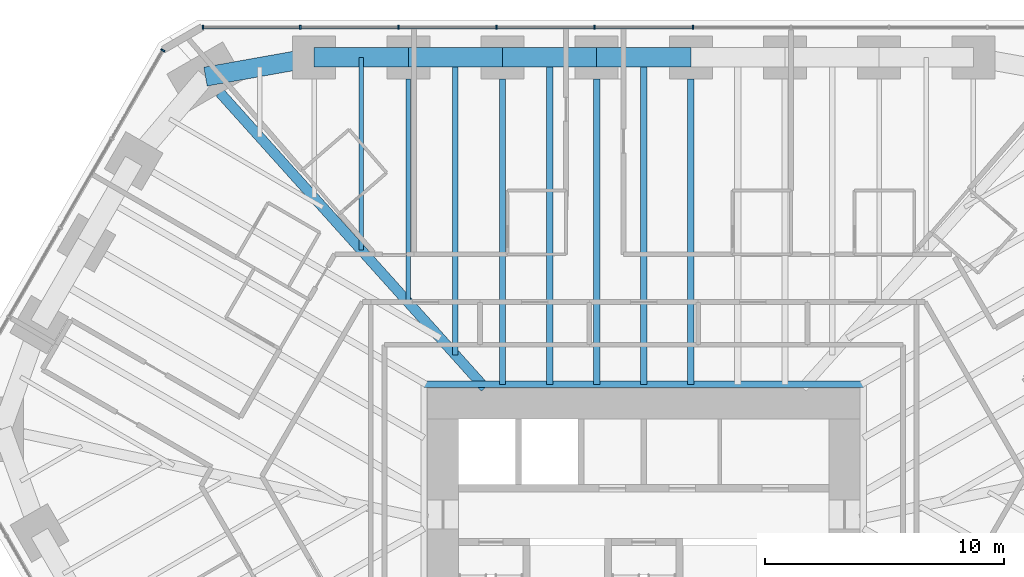
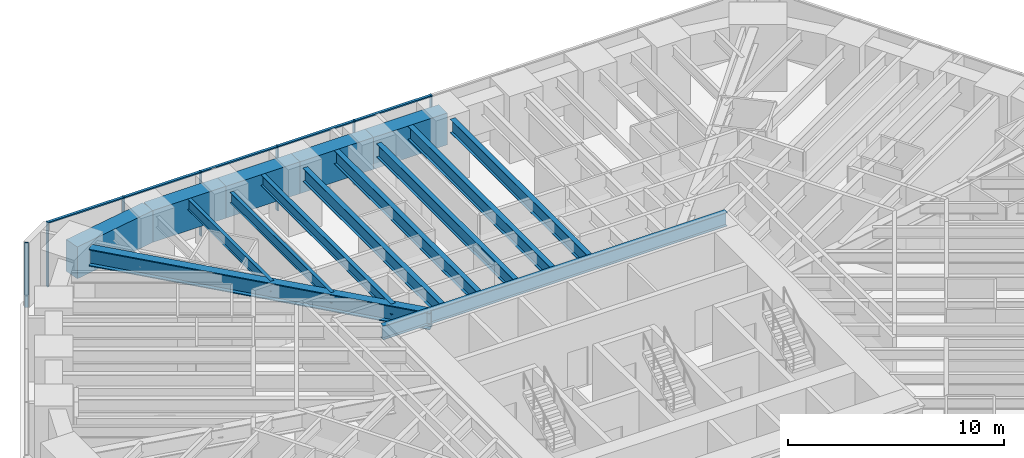
# One storey, part 8 of 17: 15 beams, 12 members, 2 elements without a shape of their own.
"""IFC4 building model written with IfcOpenShell, lengths in metres."""

from ifc_helpers import new_model, si_unit, direction, frame, origin, origin_2d, place, context, subcontext, project, spatial, rectangle, i_section, extrude, material, material_profile, profile_set, type_object, element, aggregate, save


model = new_model("IFC4")

# Units and contexts
model_context = context("Model", 3, precision=1e-05, world=origin(), true_north=direction((0.0, 1.0)))
body_context = subcontext(model_context, "Body", "Model", "MODEL_VIEW")
ifc_project = project(units=[si_unit("LENGTHUNIT", "METRE"), si_unit("AREAUNIT", "SQUARE_METRE"), si_unit("VOLUMEUNIT", "CUBIC_METRE"), si_unit("PLANEANGLEUNIT", "RADIAN"), si_unit("MASSUNIT", "GRAM", prefix="KILO")], contexts=[model_context])

# Site, building, storey
site_placement = place(None, origin())
site = spatial("IfcSite", under=ifc_project, at=site_placement, CompositionType="ELEMENT")
building_placement = place(site_placement, origin())
building = spatial("IfcBuilding", under=site, at=building_placement, Name="Sandreach Pilgrim Tower", CompositionType="ELEMENT")
storey_placement = place(building_placement, frame((0.0, 0.0, 119.60009765625)))
storey = spatial("IfcBuildingStorey", under=building, at=storey_placement, Name="L29", CompositionType="ELEMENT", Elevation=119.60009765625)

# Curtain wall, members
ifc_material_1 = material(Name="Aluminium framed curtain wall", Category="aluminium")
curtain_wall_type = type_object("IfcCurtainWallType", Name="Hotel tower curtain wall", PredefinedType="NOTDEFINED", material=ifc_material_1)
curtain_wall_1_placement = place(storey_placement, origin())
curtain_wall_1 = element("IfcCurtainWall", 1, at=curtain_wall_1_placement, inside=storey, type_object=curtain_wall_type, Name="CW-2 L29 N", PredefinedType="NOTDEFINED")
ifc_material_2 = material(Name="Aluminium extrusion", Category="aluminium")
ifc_material_profile_1 = material_profile(ifc_material_2, rectangle(XDim=0.06494140625, YDim=0.179931640625, at=origin_2d()), Name="CW-2M 65X180")
ifc_profile_set_1 = profile_set([ifc_material_profile_1], Name="Aluminium extrusion")
member_type_1 = type_object("IfcMemberType", Name="CW-2 mullion", PredefinedType="MULLION", material=ifc_profile_set_1)
member_1_placement = place(storey_placement, frame((-18.448974609375, 22.493896484375, 0.0), z_axis=(0.0, 0.0, 1.0), x_axis=(1.0, 0.0, 0.0)))
member_1 = element("IfcMember", 2, at=member_1_placement, type_object=member_type_1, Name="CW-2 mullion 1", PredefinedType="MULLION", context=body_context, shape_type="SweptSolid", body=[
    extrude(rectangle(XDim=0.06494140625, YDim=0.179931640625, at=origin_2d()), origin(), (0.0, 0.0, 1.0), 3.639892578125),
])
member_2_placement = place(storey_placement, frame((-14.37451171875, 22.493896484375, 0.0), z_axis=(0.0, 0.0, 1.0), x_axis=(1.0, 0.0, 0.0)))
member_2 = element("IfcMember", 3, at=member_2_placement, type_object=member_type_1, Name="CW-2 mullion 2", PredefinedType="MULLION", context=body_context, shape_type="SweptSolid", body=[
    extrude(rectangle(XDim=0.06494140625, YDim=0.179931640625, at=origin_2d()), origin(), (0.0, 0.0, 1.0), 3.639892578125),
])
member_3_placement = place(storey_placement, frame((-10.267333984375, 22.493896484375, 0.0), z_axis=(0.0, 0.0, 1.0), x_axis=(1.0, 0.0, 0.0)))
member_3 = element("IfcMember", 4, at=member_3_placement, type_object=member_type_1, Name="CW-2 mullion 3", PredefinedType="MULLION", context=body_context, shape_type="SweptSolid", body=[
    extrude(rectangle(XDim=0.06494140625, YDim=0.179931640625, at=origin_2d()), origin(), (0.0, 0.0, 1.0), 3.639892578125),
])
member_4_placement = place(storey_placement, frame((-6.160400390625, 22.493896484375, 0.0), z_axis=(0.0, 0.0, 1.0), x_axis=(1.0, 0.0, 0.0)))
member_4 = element("IfcMember", 5, at=member_4_placement, type_object=member_type_1, Name="CW-2 mullion 4", PredefinedType="MULLION", context=body_context, shape_type="SweptSolid", body=[
    extrude(rectangle(XDim=0.06494140625, YDim=0.179931640625, at=origin_2d()), origin(), (0.0, 0.0, 1.0), 3.639892578125),
])
member_5_placement = place(storey_placement, frame((-2.053466796875, 22.493896484375, 0.0), z_axis=(0.0, 0.0, 1.0), x_axis=(1.0, 0.0, 0.0)))
member_5 = element("IfcMember", 6, at=member_5_placement, type_object=member_type_1, Name="CW-2 mullion 5", PredefinedType="MULLION", context=body_context, shape_type="SweptSolid", body=[
    extrude(rectangle(XDim=0.06494140625, YDim=0.179931640625, at=origin_2d()), origin(), (0.0, 0.0, 1.0), 3.639892578125),
])
member_6_placement = place(storey_placement, frame((2.053466796875, 22.493896484375, 0.0), z_axis=(0.0, 0.0, 1.0), x_axis=(1.0, 0.0, 0.0)))
member_6 = element("IfcMember", 7, at=member_6_placement, type_object=member_type_1, Name="CW-2 mullion 6", PredefinedType="MULLION", context=body_context, shape_type="SweptSolid", body=[
    extrude(rectangle(XDim=0.06494140625, YDim=0.179931640625, at=origin_2d()), origin(), (0.0, 0.0, 1.0), 3.639892578125),
])

# Curtain wall, member
curtain_wall_2_placement = place(storey_placement, origin())
curtain_wall_2 = element("IfcCurtainWall", 8, at=curtain_wall_2_placement, inside=storey, type_object=curtain_wall_type, Name="CW-2 L29 NW", PredefinedType="NOTDEFINED")
member_7_placement = place(storey_placement, frame((-20.125732421875, 21.525634765625, 0.0), z_axis=(0.0, 0.0, 1.0), x_axis=(0.5, 0.866025403784, 0.0)))
member_7 = element("IfcMember", 9, at=member_7_placement, type_object=member_type_1, Name="CW-2 mullion 5", PredefinedType="MULLION", context=body_context, shape_type="SweptSolid", body=[
    extrude(rectangle(XDim=0.06494140625, YDim=0.179931640625, at=origin_2d()), origin(), (0.0, 0.0, 1.0), 3.639892578125),
])
aggregate(curtain_wall_2, [member_7])

# Member
ifc_material_3 = material(Name="Aluminium extrusion", Category="aluminium")
ifc_material_profile_2 = material_profile(ifc_material_3, rectangle(XDim=0.139892578125, YDim=0.070068359375, at=origin_2d()), Name="CW-2T 140X70")
ifc_profile_set_2 = profile_set([ifc_material_profile_2], Name="Aluminium extrusion")
member_type_2 = type_object("IfcMemberType", Name="CW-2 transom", PredefinedType="USERDEFINED", material=ifc_profile_set_2)
member_8_placement = place(storey_placement, frame((-18.416259765625, 22.493896484375, 3.60498046875), z_axis=(1.0, 0.0, 0.0), x_axis=(0.0, 1.0, 0.0)))
member_8 = element("IfcMember", 10, at=member_8_placement, type_object=member_type_2, Name="CW-2 head transom 1", ObjectType="TRANSOM", PredefinedType="USERDEFINED", context=body_context, shape_type="SweptSolid", body=[
    extrude(rectangle(XDim=0.139892578125, YDim=0.070068359375, at=origin_2d()), origin(), (0.0, 0.0, 1.0), 4.00927734375),
])

member_9_placement = place(storey_placement, frame((-14.341796875, 22.493896484375, 3.60498046875), z_axis=(1.0, 0.0, 0.0), x_axis=(0.0, 1.0, 0.0)))
member_9 = element("IfcMember", 11, at=member_9_placement, type_object=member_type_2, Name="CW-2 head transom 2", ObjectType="TRANSOM", PredefinedType="USERDEFINED", context=body_context, shape_type="SweptSolid", body=[
    extrude(rectangle(XDim=0.139892578125, YDim=0.070068359375, at=origin_2d()), origin(), (0.0, 0.0, 1.0), 4.041748046875),
])

member_10_placement = place(storey_placement, frame((-10.23486328125, 22.493896484375, 3.60498046875), z_axis=(1.0, 0.0, 0.0), x_axis=(0.0, 1.0, 0.0)))
member_10 = element("IfcMember", 12, at=member_10_placement, type_object=member_type_2, Name="CW-2 head transom 3", ObjectType="TRANSOM", PredefinedType="USERDEFINED", context=body_context, shape_type="SweptSolid", body=[
    extrude(rectangle(XDim=0.139892578125, YDim=0.070068359375, at=origin_2d()), origin(), (0.0, 0.0, 1.0), 4.0419921875),
])

member_11_placement = place(storey_placement, frame((-6.1279296875, 22.493896484375, 3.60498046875), z_axis=(1.0, 0.0, 0.0), x_axis=(0.0, 1.0, 0.0)))
member_11 = element("IfcMember", 13, at=member_11_placement, type_object=member_type_2, Name="CW-2 head transom 4", ObjectType="TRANSOM", PredefinedType="USERDEFINED", context=body_context, shape_type="SweptSolid", body=[
    extrude(rectangle(XDim=0.139892578125, YDim=0.070068359375, at=origin_2d()), origin(), (0.0, 0.0, 1.0), 4.0419921875),
])

member_12_placement = place(storey_placement, frame((-2.02099609375, 22.493896484375, 3.60498046875), z_axis=(1.0, 0.0, 0.0), x_axis=(0.0, 1.0, 0.0)))
member_12 = element("IfcMember", 14, at=member_12_placement, type_object=member_type_2, Name="CW-2 head transom 5", ObjectType="TRANSOM", PredefinedType="USERDEFINED", context=body_context, shape_type="SweptSolid", body=[
    extrude(rectangle(XDim=0.139892578125, YDim=0.070068359375, at=origin_2d()), origin(), (0.0, 0.0, 1.0), 4.0419921875),
])

aggregate(curtain_wall_1, [member_1, member_2, member_3, member_4, member_5, member_6, member_8, member_9, member_10, member_11, member_12])

# Beams
ifc_material_4 = material(Name="Steel ASTM A992 Grade 50", Category="steel")
ifc_material_profile_3 = material_profile(ifc_material_4, i_section(OverallWidth=0.2666015625, OverallDepth=0.77978515625, WebThickness=0.0166015625, FlangeThickness=0.030029296875, at=origin_2d()), Name="W30X148")
ifc_profile_set_3 = profile_set([ifc_material_profile_3], Name="Steel ASTM A992 Grade 50")
beam_type_1 = type_object("IfcBeamType", Name="Core edge beam W30X148", PredefinedType="BEAM", material=ifc_profile_set_3)
beam_1_placement = place(storey_placement, frame((-9.193359375, 7.54345703125, 3.25), z_axis=(1.0, 0.0, 0.0), x_axis=(0.0, 1.0, 0.0)))
element("IfcBeam", 15, at=beam_1_placement, inside=storey, type_object=beam_type_1, Name="BM L29 CEN", PredefinedType="BEAM", context=body_context, shape_type="SweptSolid", body=[
    extrude(i_section(OverallWidth=0.2666015625, OverallDepth=0.77978515625, WebThickness=0.0166015625, FlangeThickness=0.030029296875, at=origin_2d()), origin(), (0.0, 0.0, 1.0), 18.38671875),
])
ifc_material_5 = material(Name="Steel ASTM A992 Grade 50", Category="steel")
ifc_material_profile_4 = material_profile(ifc_material_5, i_section(OverallWidth=0.424072265625, OverallDepth=0.965087890625, WebThickness=0.028564453125, FlangeThickness=0.051025390625, at=origin_2d()), Name="W36X361")
ifc_profile_set_4 = profile_set([ifc_material_profile_4], Name="Steel ASTM A992 Grade 50")
beam_type_2 = type_object("IfcBeamType", Name="Corner girder W36X361", PredefinedType="BEAM", material=ifc_profile_set_4)
beam_2_placement = place(storey_placement, frame((-17.738037109375, 19.754150390625, 3.1572265625), z_axis=(0.66811374471, -0.74405915365, 0.0), x_axis=(0.74405915365, 0.66811374471, 0.0)))
element("IfcBeam", 16, at=beam_2_placement, inside=storey, type_object=beam_type_2, Name="BM L29 CG39", PredefinedType="BEAM", context=body_context, shape_type="SweptSolid", body=[
    extrude(i_section(OverallWidth=0.424072265625, OverallDepth=0.965087890625, WebThickness=0.028564453125, FlangeThickness=0.051025390625, at=origin_2d()), origin(), (0.0, 0.0, 1.0), 16.603759765625),
])
ifc_material_6 = material(Name="Steel ASTM A992 Grade 50", Category="steel")
ifc_material_profile_5 = material_profile(ifc_material_6, i_section(OverallWidth=0.1787109375, OverallDepth=0.60205078125, WebThickness=0.010986328125, FlangeThickness=0.014892578125, at=origin_2d()), Name="W24X62")
ifc_profile_set_5 = profile_set([ifc_material_profile_5], Name="Steel ASTM A992 Grade 50")
beam_type_3 = type_object("IfcBeamType", Name="Floor beam W24X62", PredefinedType="BEAM", material=ifc_profile_set_5)
beam_3_placement = place(storey_placement, frame((-9.849853515625, 20.333740234375, 3.3388671875), z_axis=(0.0, -1.0, 0.0), x_axis=(1.0, 0.0, 0.0)))
element("IfcBeam", 17, at=beam_3_placement, inside=storey, type_object=beam_type_3, Name="BM L29 F02", PredefinedType="BEAM", context=body_context, shape_type="SweptSolid", body=[
    extrude(i_section(OverallWidth=0.1787109375, OverallDepth=0.60205078125, WebThickness=0.010986328125, FlangeThickness=0.014892578125, at=origin_2d()), origin(), (0.0, 0.0, 1.0), 9.3642578125),
])
beam_4_placement = place(storey_placement, frame((-11.81982421875, 21.23388671875, 3.3388671875), z_axis=(0.0, -1.0, 0.0), x_axis=(1.0, 0.0, 0.0)))
element("IfcBeam", 18, at=beam_4_placement, inside=storey, type_object=beam_type_3, Name="BM L29 FM01", PredefinedType="BEAM", context=body_context, shape_type="SweptSolid", body=[
    extrude(i_section(OverallWidth=0.1787109375, OverallDepth=0.60205078125, WebThickness=0.010986328125, FlangeThickness=0.014892578125, at=origin_2d()), origin(), (0.0, 0.0, 1.0), 8.070556640625),
])
ifc_material_7 = material(Name="Steel ASTM A992 Grade 50", Category="steel")
ifc_material_profile_6 = material_profile(ifc_material_7, i_section(OverallWidth=0.23046875, OverallDepth=0.6171875, WebThickness=0.01318359375, FlangeThickness=0.022216796875, at=origin_2d()), Name="W24X94")
ifc_profile_set_6 = profile_set([ifc_material_profile_6], Name="Steel ASTM A992 Grade 50")
beam_type_4 = type_object("IfcBeamType", Name="Floor beam W24X94", PredefinedType="BEAM", material=ifc_profile_set_6)
beam_5_placement = place(storey_placement, frame((-7.8798828125, 21.23388671875, 3.331298828125), z_axis=(0.0, -1.0, 0.0), x_axis=(1.0, 0.0, 0.0)))
element("IfcBeam", 19, at=beam_5_placement, inside=storey, type_object=beam_type_4, Name="BM L29 FM02", PredefinedType="BEAM", context=body_context, shape_type="SweptSolid", body=[
    extrude(i_section(OverallWidth=0.23046875, OverallDepth=0.6171875, WebThickness=0.01318359375, FlangeThickness=0.022216796875, at=origin_2d()), origin(), (0.0, 0.0, 1.0), 12.458251953125),
])
ifc_material_8 = material(Name="Steel ASTM A992 Grade 50", Category="steel")
ifc_material_profile_7 = material_profile(ifc_material_8, i_section(OverallWidth=0.2666015625, OverallDepth=0.761962890625, WebThickness=0.014404296875, FlangeThickness=0.021484375, at=origin_2d()), Name="W30X116")
ifc_profile_set_7 = profile_set([ifc_material_profile_7], Name="Steel ASTM A992 Grade 50")
beam_type_5 = type_object("IfcBeamType", Name="Floor beam W30X116", PredefinedType="BEAM", material=ifc_profile_set_7)
for number, where, z_axis, x_axis, name in (
    (20, (-5.909912109375, 20.333740234375, 3.2587890625), (0.0, -1.0, 0.0), (1.0, 0.0, 0.0), "BM L29 F03"),
    (21, (-1.969970703125, 20.333740234375, 3.2587890625), (0.0, -1.0, 0.0), (1.0, 0.0, 0.0), "BM L29 F04"),
    (22, (1.969970703125, 20.333740234375, 3.2587890625), (0.0, -1.0, 0.0), (1.0, 0.0, 0.0), "BM L29 F05"),
):
    element("IfcBeam", number, at=place(storey_placement, frame(where, z_axis=z_axis, x_axis=x_axis)), inside=storey, type_object=beam_type_5, Name=name, PredefinedType="BEAM", context=body_context, shape_type="SweptSolid", body=[
        extrude(i_section(OverallWidth=0.2666015625, OverallDepth=0.761962890625, WebThickness=0.014404296875, FlangeThickness=0.021484375, at=origin_2d()), origin(), (0.0, 0.0, 1.0), 12.790283203125),
    ])
for number, where, z_axis, x_axis, name in (
    (23, (-3.93994140625, 21.23388671875, 3.2587890625), (0.0, -1.0, 0.0), (1.0, 0.0, 0.0), "BM L29 FM03"),
    (24, (0.0, 21.23388671875, 3.2587890625), (0.0, -1.0, 0.0), (1.0, 0.0, 0.0), "BM L29 FM04"),
):
    element("IfcBeam", number, at=place(storey_placement, frame(where, z_axis=z_axis, x_axis=x_axis)), inside=storey, type_object=beam_type_5, Name=name, PredefinedType="BEAM", context=body_context, shape_type="SweptSolid", body=[
        extrude(i_section(OverallWidth=0.2666015625, OverallDepth=0.761962890625, WebThickness=0.014404296875, FlangeThickness=0.021484375, at=origin_2d()), origin(), (0.0, 0.0, 1.0), 13.6904296875),
    ])
ifc_material_9 = material(Name="Concrete 10000 psi", Category="concrete")
ifc_material_profile_8 = material_profile(ifc_material_9, rectangle(XDim=0.800048828125, YDim=1.800048828125, at=origin_2d()), Name="RC800X1800")
ifc_profile_set_8 = profile_set([ifc_material_profile_8], Name="Concrete 10000 psi")
beam_type_6 = type_object("IfcBeamType", Name="Spandrel beam RC800X1800", PredefinedType="SPANDREL", material=ifc_profile_set_8)
for number, where, z_axis, x_axis, name in (
    (25, (-13.789794921875, 21.23388671875, 2.739990234375), (1.0, 0.0, 0.0), (0.0, 1.0, 0.0), "BM L29 SP01"),
    (26, (-9.849853515625, 21.23388671875, 2.739990234375), (1.0, 0.0, 0.0), (0.0, 1.0, 0.0), "BM L29 SP02"),
    (27, (-5.909912109375, 21.23388671875, 2.739990234375), (1.0, 0.0, 0.0), (0.0, 1.0, 0.0), "BM L29 SP03"),
    (28, (-1.969970703125, 21.23388671875, 2.739990234375), (1.0, 0.0, 0.0), (0.0, 1.0, 0.0), "BM L29 SP04"),
):
    element("IfcBeam", number, at=place(storey_placement, frame(where, z_axis=z_axis, x_axis=x_axis)), inside=storey, type_object=beam_type_6, Name=name, PredefinedType="SPANDREL", context=body_context, shape_type="SweptSolid", body=[
        extrude(rectangle(XDim=0.800048828125, YDim=1.800048828125, at=origin_2d()), origin(), (0.0, 0.0, 1.0), 3.93994140625),
    ])
beam_6_placement = place(storey_placement, frame((-18.33935546875, 20.423828125, 2.739990234375), z_axis=(0.984515938739, 0.175295083699, 0.0), x_axis=(-0.175295083699, 0.984515938739, 0.0)))
element("IfcBeam", 29, at=beam_6_placement, inside=storey, type_object=beam_type_6, Name="BM L29 SP39", PredefinedType="SPANDREL", context=body_context, shape_type="SweptSolid", body=[
    extrude(rectangle(XDim=0.800048828125, YDim=1.800048828125, at=origin_2d()), origin(), (0.0, 0.0, 1.0), 4.62109375),
])

save(model, "model.ifc")
